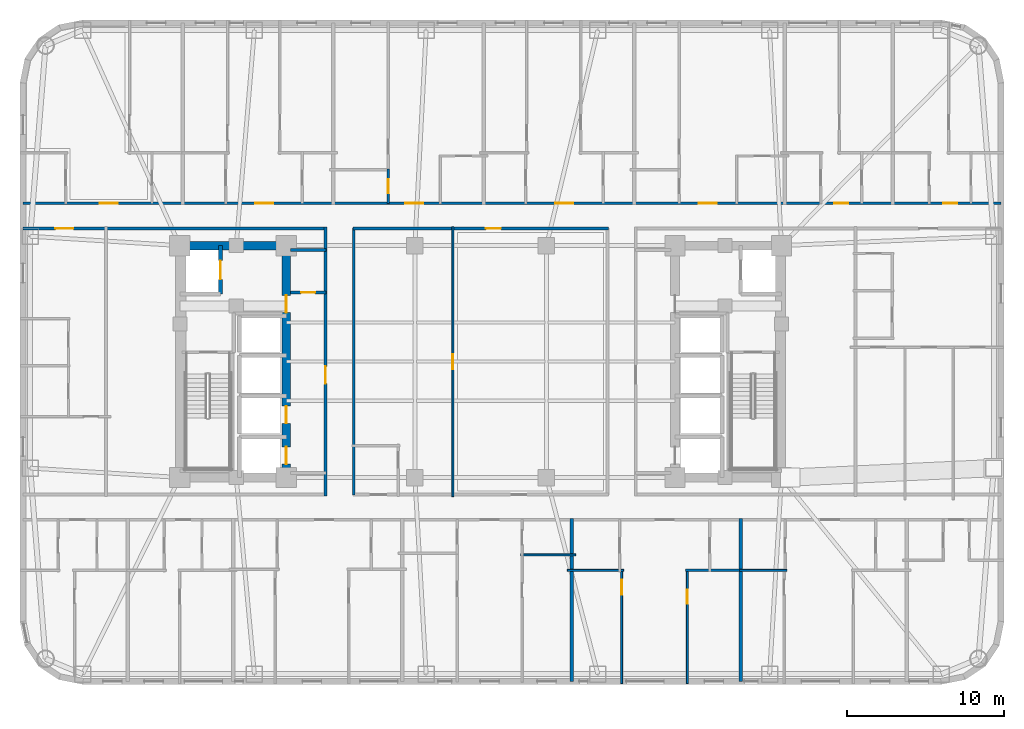
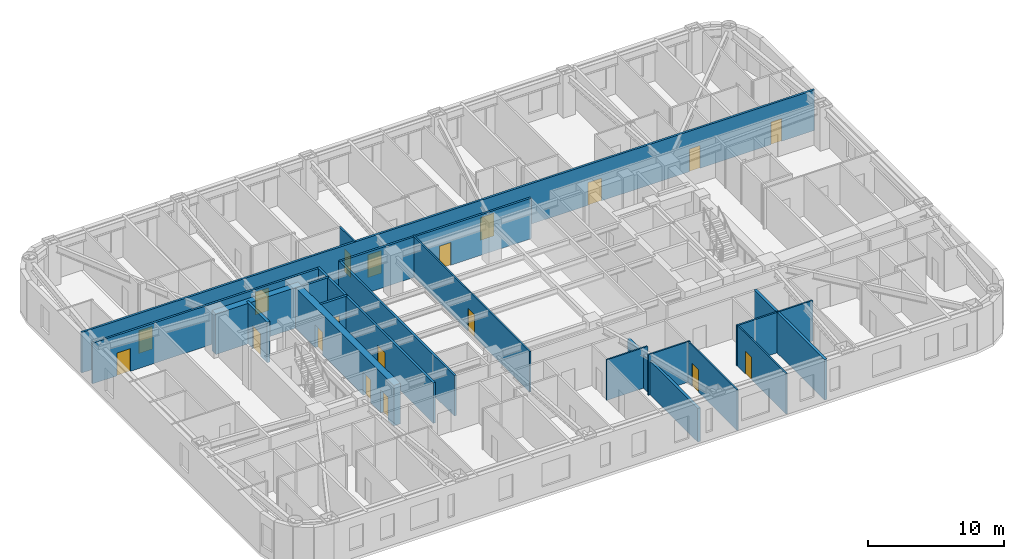
# One storey, part 5 of 12: 20 walls, 19 doors, 19 openings.
"""IFC4 building model written with IfcOpenShell, lengths in metres."""

from ifc_helpers import new_model, si_unit, direction, frame, frame_2d, origin, place, context, subcontext, project, spatial, rectangle, extrude, material, layer, layer_set, type_object, element, fill, save


model = new_model("IFC4")

# Units and contexts
model_context = context("Model", 3, precision=1e-05, world=origin(), true_north=direction((0.0, 1.0)))
body_context = subcontext(model_context, "Body", "Model", "MODEL_VIEW")
ifc_project = project(units=[si_unit("LENGTHUNIT", "METRE"), si_unit("AREAUNIT", "SQUARE_METRE"), si_unit("VOLUMEUNIT", "CUBIC_METRE"), si_unit("PLANEANGLEUNIT", "RADIAN"), si_unit("MASSUNIT", "GRAM", prefix="KILO")], contexts=[model_context])

# Site, building, storey
site_placement = place(None, origin())
site = spatial("IfcSite", under=ifc_project, at=site_placement, CompositionType="ELEMENT")
building_placement = place(site_placement, origin())
building = spatial("IfcBuilding", under=site, at=building_placement, Name="Voryun Gate Residences", CompositionType="ELEMENT")
storey_placement = place(building_placement, frame((0.0, 0.0, 101.39990234375)))
storey = spatial("IfcBuildingStorey", under=building, at=storey_placement, Name="L24", CompositionType="ELEMENT", Elevation=101.39990234375)

# Wall
ifc_material_1 = material(Name="Concrete C60/75", Category="concrete")
ifc_layer_1 = layer(ifc_material_1, 0.550048828125, Name="CW_CORE_550")
ifc_layer_set_1 = layer_set([ifc_layer_1], Name="Concrete C60/75")
wall_type_1 = type_object("IfcWallType", Name="CW_CORE_550", PredefinedType="SHEAR", material=ifc_layer_set_1)
wall_1_placement = place(storey_placement, frame((-19.47509765625, 7.39990234375, 0.0), z_axis=(0.0, 0.0, 1.0), x_axis=(1.0, 0.0, 0.0)))
element("IfcWall", 1, at=wall_1_placement, inside=storey, type_object=wall_type_1, Name="L24 Core shear wall CW-L24-WN", PredefinedType="SHEAR", context=body_context, shape_type="SweptSolid", body=[
    extrude(rectangle(XDim=7.35009765625, YDim=0.550048828125, at=frame_2d((3.675048828125, 0.0))), origin(), (0.0, 0.0, 1.0), 3.650146484375),
])

# Wall, openings, doors
wall_2_placement = place(storey_placement, frame((-12.39990234375, -7.39990234375, 0.0), z_axis=(0.0, 0.0, 1.0), x_axis=(0.0, 1.0, 0.0)))
wall_2 = element("IfcWall", 2, at=wall_2_placement, inside=storey, type_object=wall_type_1, Name="L24 Core shear wall CW-L24-WE", PredefinedType="SHEAR", context=body_context, shape_type="SweptSolid", body=[
    extrude(rectangle(XDim=14.7998046875, YDim=0.550048828125, at=frame_2d((7.39990234375, 0.0))), origin(), (0.0, 0.0, 1.0), 3.650146484375),
])
opening_1_placement = place(wall_2_placement, frame((0.85009765625, 0.0, 0.0)))
opening_1 = element("IfcOpeningElement", 3, at=opening_1_placement, cuts=wall_2, Name="Opening LD2", PredefinedType="OPENING", context=body_context, shape_type="SweptSolid", body=[
    extrude(rectangle(XDim=1.10009765625, YDim=2.050048828125, at=frame_2d((0.550048828125, 1.02490234375))), frame((0.0, 0.284912109375, 0.0), z_axis=(0.0, -1.0, 0.0), x_axis=(1.0, 0.0, 0.0)), (0.0, 0.0, 1.0), 0.570068359375),
])
opening_2_placement = place(wall_2_placement, frame((3.449951171875, 0.0, 0.0)))
opening_2 = element("IfcOpeningElement", 4, at=opening_2_placement, cuts=wall_2, Name="Opening LD2", PredefinedType="OPENING", context=body_context, shape_type="SweptSolid", body=[
    extrude(rectangle(XDim=1.10009765625, YDim=2.050048828125, at=frame_2d((0.550048828125, 1.02490234375))), frame((0.0, 0.284912109375, 0.0), z_axis=(0.0, -1.0, 0.0), x_axis=(1.0, 0.0, 0.0)), (0.0, 0.0, 1.0), 0.570068359375),
])
opening_3_placement = place(wall_2_placement, frame((10.530029296875, 0.0, 0.0)))
opening_3 = element("IfcOpeningElement", 5, at=opening_3_placement, cuts=wall_2, Name="Opening D-FD60-2", PredefinedType="OPENING", context=body_context, shape_type="SweptSolid", body=[
    extrude(rectangle(XDim=1.10009765625, YDim=2.050048828125, at=frame_2d((0.550048828125, 1.02490234375))), frame((0.0, 0.284912109375, 0.0), z_axis=(0.0, -1.0, 0.0), x_axis=(1.0, 0.0, 0.0)), (0.0, 0.0, 1.0), 0.570068359375),
])
ifc_material_2 = material(Name="Painted steel fire door", Category="steel")
door_type_1 = type_object("IfcDoorType", Name="DR_FD60_FFLOB_1100", OperationType="NOTDEFINED", PredefinedType="DOOR", material=ifc_material_2)
door_1_placement = place(opening_3_placement, origin())
door_1 = element("IfcDoor", 6, at=door_1_placement, inside=storey, type_object=door_type_1, Name="Door DR-L24-CLOB-W", OperationType="SINGLE_SWING_LEFT", OverallHeight=2.050048828125, OverallWidth=1.10009765625, PredefinedType="DOOR", context=body_context, shape_type="SweptSolid", body=[
    extrude(rectangle(XDim=1.10009765625, YDim=2.050048828125, at=frame_2d((0.550048828125, 1.02490234375))), frame((0.0, 0.02490234375, 0.0), z_axis=(0.0, -1.0, 0.0), x_axis=(1.0, 0.0, 0.0)), (0.0, 0.0, 1.0), 0.050048828125),
])
fill(opening_3, door_1)
ifc_material_3 = material(Name="Anodised aluminium", Category="aluminium")
door_type_2 = type_object("IfcDoorType", Name="DR_LD_PASS_1100", OperationType="NOTDEFINED", PredefinedType="DOOR", material=ifc_material_3)
door_2_placement = place(opening_1_placement, origin())
door_2 = element("IfcDoor", 7, at=door_2_placement, inside=storey, type_object=door_type_2, Name="Lift EL-P1 sliding landing door L24", OperationType="SLIDING_TO_LEFT", OverallHeight=2.050048828125, OverallWidth=1.10009765625, PredefinedType="DOOR", context=body_context, shape_type="SweptSolid", body=[
    extrude(rectangle(XDim=1.10009765625, YDim=2.050048828125, at=frame_2d((0.550048828125, 1.02490234375))), frame((0.0, 0.02490234375, 0.0), z_axis=(0.0, -1.0, 0.0), x_axis=(1.0, 0.0, 0.0)), (0.0, 0.0, 1.0), 0.050048828125),
])
fill(opening_1, door_2)
door_3_placement = place(opening_2_placement, origin())
door_3 = element("IfcDoor", 8, at=door_3_placement, inside=storey, type_object=door_type_2, Name="Lift EL-P2 sliding landing door L24", OperationType="SLIDING_TO_LEFT", OverallHeight=2.050048828125, OverallWidth=1.10009765625, PredefinedType="DOOR", context=body_context, shape_type="SweptSolid", body=[
    extrude(rectangle(XDim=1.10009765625, YDim=2.050048828125, at=frame_2d((0.550048828125, 1.02490234375))), frame((0.0, 0.02490234375, 0.0), z_axis=(0.0, -1.0, 0.0), x_axis=(1.0, 0.0, 0.0)), (0.0, 0.0, 1.0), 0.050048828125),
])
fill(opening_2, door_3)

# Wall
ifc_material_4 = material(Name="Gypsum acoustic fireboard")
ifc_layer_2 = layer(ifc_material_4, 0.179931640625, Name="W_CORR_RATED_180")
ifc_layer_set_2 = layer_set([ifc_layer_2], Name="Gypsum acoustic fireboard")
wall_type_2 = type_object("IfcWallType", Name="W_CORR_RATED_180", PredefinedType="PARTITIONING", material=ifc_layer_set_2)
wall_3_placement = place(storey_placement, frame((-12.14990234375, 7.1201171875, 0.0), z_axis=(0.0, 0.0, 1.0), x_axis=(1.0, 0.0, 0.0)))
element("IfcWall", 9, at=wall_3_placement, inside=storey, type_object=wall_type_2, Name="Partition wall WP-L24-PLBN-W", PredefinedType="PARTITIONING", context=body_context, shape_type="SweptSolid", body=[
    extrude(rectangle(XDim=2.27001953125, YDim=0.179931640625, at=frame_2d((1.135009765625, 0.0))), origin(), (0.0, 0.0, 1.0), 3.650146484375),
])

# Wall, opening, door
wall_4_placement = place(storey_placement, frame((-9.89990234375, -8.580078125, 0.0), z_axis=(0.0, 0.0, 1.0), x_axis=(0.0, 1.0, 0.0)))
wall_4 = element("IfcWall", 10, at=wall_4_placement, inside=storey, type_object=wall_type_2, Name="Partition wall WP-L24-PLBW-FULL", PredefinedType="PARTITIONING", context=body_context, shape_type="SweptSolid", body=[
    extrude(rectangle(XDim=17.16015625, YDim=0.179931640625, at=frame_2d((8.580078125, 0.0))), origin(), (0.0, 0.0, 1.0), 3.650146484375),
])
opening_4_placement = place(wall_4_placement, frame((7.172119140625, 0.0, 0.0)))
opening_4 = element("IfcOpeningElement", 11, at=opening_4_placement, cuts=wall_4, Name="Opening D-FD60-2", PredefinedType="OPENING", context=body_context, shape_type="SweptSolid", body=[
    extrude(rectangle(XDim=1.10009765625, YDim=2.050048828125, at=frame_2d((0.550048828125, 1.02490234375))), frame((0.0, 0.099853515625, 0.0), z_axis=(0.0, -1.0, 0.0), x_axis=(1.0, 0.0, 0.0)), (0.0, 0.0, 1.0), 0.199951171875),
])
door_4_placement = place(opening_4_placement, origin())
door_4 = element("IfcDoor", 12, at=door_4_placement, inside=storey, type_object=door_type_1, Name="Door DR-L24-PLBW-COR", OperationType="SINGLE_SWING_LEFT", OverallHeight=2.050048828125, OverallWidth=1.10009765625, PredefinedType="DOOR", context=body_context, shape_type="SweptSolid", body=[
    extrude(rectangle(XDim=1.10009765625, YDim=2.050048828125, at=frame_2d((0.550048828125, 1.02490234375))), frame((0.0, 0.02490234375, 0.0), z_axis=(0.0, -1.0, 0.0), x_axis=(1.0, 0.0, 0.0)), (0.0, 0.0, 1.0), 0.050048828125),
])
fill(opening_4, door_4)

wall_5_placement = place(storey_placement, frame((-29.2099609375, 8.489990234375, 0.0), z_axis=(0.0, 0.0, 1.0), x_axis=(1.0, 0.0, 0.0)))
wall_5 = element("IfcWall", 13, at=wall_5_placement, inside=storey, type_object=wall_type_2, Name="Partition wall WP-L24-CWING-WN", PredefinedType="PARTITIONING", context=body_context, shape_type="SweptSolid", body=[
    extrude(rectangle(XDim=19.330078125, YDim=0.179931640625, at=frame_2d((9.6650390625, 0.0))), origin(), (0.0, 0.0, 1.0), 3.650146484375),
])
opening_5_placement = place(wall_5_placement, frame((2.0654296875, 0.0, 0.0)))
opening_5 = element("IfcOpeningElement", 14, at=opening_5_placement, cuts=wall_5, Name="Opening D-UNIT-1", PredefinedType="OPENING", context=body_context, shape_type="SweptSolid", body=[
    extrude(rectangle(XDim=1.14990234375, YDim=2.050048828125, at=frame_2d((0.574951171875, 1.02490234375))), frame((0.0, 0.099853515625, 0.0), z_axis=(0.0, -1.0, 0.0), x_axis=(1.0, 0.0, 0.0)), (0.0, 0.0, 1.0), 0.199951171875),
])
ifc_material_5 = material(Name="Armoured timber-clad fire door", Category="wood")
door_type_3 = type_object("IfcDoorType", Name="DR_UNIT_ENTRY_1150", OperationType="NOTDEFINED", PredefinedType="DOOR", material=ifc_material_5)
door_5_placement = place(opening_5_placement, origin())
door_5 = element("IfcDoor", 15, at=door_5_placement, inside=storey, type_object=door_type_3, Name="Door DR-L24-WE1N", OperationType="SINGLE_SWING_LEFT", OverallHeight=2.050048828125, OverallWidth=1.14990234375, PredefinedType="DOOR", context=body_context, shape_type="SweptSolid", body=[
    extrude(rectangle(XDim=1.14990234375, YDim=2.050048828125, at=frame_2d((0.574951171875, 1.02490234375))), frame((0.0, 0.02490234375, 0.0), z_axis=(0.0, -1.0, 0.0), x_axis=(1.0, 0.0, 0.0)), (0.0, 0.0, 1.0), 0.050048828125),
])
fill(opening_5, door_5)

wall_6_placement = place(storey_placement, frame((-8.14990234375, 8.489990234375, 0.0), z_axis=(0.0, 0.0, 1.0), x_axis=(1.0, 0.0, 0.0)))
wall_6 = element("IfcWall", 16, at=wall_6_placement, inside=storey, type_object=wall_type_2, Name="Partition wall WP-L24-Z1N", PredefinedType="PARTITIONING", context=body_context, shape_type="SweptSolid", body=[
    extrude(rectangle(XDim=16.2998046875, YDim=0.179931640625, at=frame_2d((8.14990234375, 0.0))), origin(), (0.0, 0.0, 1.0), 3.650146484375),
])
opening_6_placement = place(wall_6_placement, frame((8.489990234375, 0.0, 0.0)))
opening_6 = element("IfcOpeningElement", 17, at=opening_6_placement, cuts=wall_6, Name="Opening D-INT-1", PredefinedType="OPENING", context=body_context, shape_type="SweptSolid", body=[
    extrude(rectangle(XDim=0.949951171875, YDim=2.050048828125, at=frame_2d((0.47509765625, 1.02490234375))), frame((0.0, 0.099853515625, 0.0), z_axis=(0.0, -1.0, 0.0), x_axis=(1.0, 0.0, 0.0)), (0.0, 0.0, 1.0), 0.199951171875),
])
ifc_material_6 = material(Name="Architectural oak veneer")
door_type_4 = type_object("IfcDoorType", Name="DR_INT_ROOM_950", OperationType="NOTDEFINED", PredefinedType="DOOR", material=ifc_material_6)
door_6_placement = place(opening_6_placement, origin())
door_6 = element("IfcDoor", 18, at=door_6_placement, inside=storey, type_object=door_type_4, Name="Door DR-L24-CMIDZ1N", OperationType="SINGLE_SWING_LEFT", OverallHeight=2.050048828125, OverallWidth=0.949951171875, PredefinedType="DOOR", context=body_context, shape_type="SweptSolid", body=[
    extrude(rectangle(XDim=0.949951171875, YDim=2.050048828125, at=frame_2d((0.47509765625, 1.02490234375))), frame((0.0, 0.02490234375, 0.0), z_axis=(0.0, -1.0, 0.0), x_axis=(1.0, 0.0, 0.0)), (0.0, 0.0, 1.0), 0.050048828125),
])
fill(opening_6, door_6)

# Wall
wall_7_placement = place(storey_placement, frame((-8.10009765625, -8.530029296875, 0.0), z_axis=(0.0, 0.0, 1.0), x_axis=(0.0, 1.0, 0.0)))
element("IfcWall", 19, at=wall_7_placement, inside=storey, type_object=wall_type_2, Name="Partition wall WP-L24-Z1W", PredefinedType="PARTITIONING", context=body_context, shape_type="SweptSolid", body=[
    extrude(rectangle(XDim=17.06005859375, YDim=0.179931640625, at=frame_2d((8.530029296875, 0.0))), origin(), (0.0, 0.0, 1.0), 3.650146484375),
])

# Wall, openings, doors
wall_8_placement = place(storey_placement, frame((-29.2099609375, 10.10009765625, 0.0), z_axis=(0.0, 0.0, 1.0), x_axis=(1.0, 0.0, 0.0)))
wall_8 = element("IfcWall", 20, at=wall_8_placement, inside=storey, type_object=wall_type_2, Name="Partition wall WP-L24-NCORR", PredefinedType="PARTITIONING", context=body_context, shape_type="SweptSolid", body=[
    extrude(rectangle(XDim=62.419921875, YDim=0.179931640625, at=frame_2d((31.2099609375, 0.0))), origin(), (0.0, 0.0, 1.0), 3.650146484375),
])
opening_7_placement = place(wall_8_placement, frame((4.905517578125, 0.0, 0.0)))
opening_7 = element("IfcOpeningElement", 21, at=opening_7_placement, cuts=wall_8, Name="Opening D-UNIT-1", PredefinedType="OPENING", context=body_context, shape_type="SweptSolid", body=[
    extrude(rectangle(XDim=1.14990234375, YDim=2.050048828125, at=frame_2d((0.574951171875, 1.02490234375))), frame((0.0, 0.099853515625, 0.0), z_axis=(0.0, -1.0, 0.0), x_axis=(1.0, 0.0, 0.0)), (0.0, 0.0, 1.0), 0.199951171875),
])
opening_8_placement = place(wall_8_placement, frame((14.8115234375, 0.0, 0.0)))
opening_8 = element("IfcOpeningElement", 22, at=opening_8_placement, cuts=wall_8, Name="Opening D-UNIT-1", PredefinedType="OPENING", context=body_context, shape_type="SweptSolid", body=[
    extrude(rectangle(XDim=1.14990234375, YDim=2.050048828125, at=frame_2d((0.574951171875, 1.02490234375))), frame((0.0, 0.099853515625, 0.0), z_axis=(0.0, -1.0, 0.0), x_axis=(1.0, 0.0, 0.0)), (0.0, 0.0, 1.0), 0.199951171875),
])
opening_9_placement = place(wall_8_placement, frame((24.405517578125, 0.0, 0.0)))
opening_9 = element("IfcOpeningElement", 23, at=opening_9_placement, cuts=wall_8, Name="Opening D-UNIT-1", PredefinedType="OPENING", context=body_context, shape_type="SweptSolid", body=[
    extrude(rectangle(XDim=1.14990234375, YDim=2.050048828125, at=frame_2d((0.574951171875, 1.02490234375))), frame((0.0, 0.099853515625, 0.0), z_axis=(0.0, -1.0, 0.0), x_axis=(1.0, 0.0, 0.0)), (0.0, 0.0, 1.0), 0.199951171875),
])
opening_10_placement = place(wall_8_placement, frame((33.980712890625, 0.0, 0.0)))
opening_10 = element("IfcOpeningElement", 24, at=opening_10_placement, cuts=wall_8, Name="Opening D-UNIT-1", PredefinedType="OPENING", context=body_context, shape_type="SweptSolid", body=[
    extrude(rectangle(XDim=1.14990234375, YDim=2.050048828125, at=frame_2d((0.574951171875, 1.02490234375))), frame((0.0, 0.099853515625, 0.0), z_axis=(0.0, -1.0, 0.0), x_axis=(1.0, 0.0, 0.0)), (0.0, 0.0, 1.0), 0.199951171875),
])
opening_11_placement = place(wall_8_placement, frame((43.1376953125, 0.0, 0.0)))
opening_11 = element("IfcOpeningElement", 25, at=opening_11_placement, cuts=wall_8, Name="Opening D-UNIT-1", PredefinedType="OPENING", context=body_context, shape_type="SweptSolid", body=[
    extrude(rectangle(XDim=1.14990234375, YDim=2.050048828125, at=frame_2d((0.574951171875, 1.02490234375))), frame((0.0, 0.099853515625, 0.0), z_axis=(0.0, -1.0, 0.0), x_axis=(1.0, 0.0, 0.0)), (0.0, 0.0, 1.0), 0.199951171875),
])
opening_12_placement = place(wall_8_placement, frame((51.77685546875, 0.0, 0.0)))
opening_12 = element("IfcOpeningElement", 26, at=opening_12_placement, cuts=wall_8, Name="Opening D-INT-2", PredefinedType="OPENING", context=body_context, shape_type="SweptSolid", body=[
    extrude(rectangle(XDim=0.89990234375, YDim=2.050048828125, at=frame_2d((0.449951171875, 1.02490234375))), frame((0.0, 0.099853515625, 0.0), z_axis=(0.0, -1.0, 0.0), x_axis=(1.0, 0.0, 0.0)), (0.0, 0.0, 1.0), 0.199951171875),
])
opening_13_placement = place(wall_8_placement, frame((58.718017578125, 0.0, 0.0)))
opening_13 = element("IfcOpeningElement", 27, at=opening_13_placement, cuts=wall_8, Name="Opening D-INT-2", PredefinedType="OPENING", context=body_context, shape_type="SweptSolid", body=[
    extrude(rectangle(XDim=0.89990234375, YDim=2.050048828125, at=frame_2d((0.449951171875, 1.02490234375))), frame((0.0, 0.099853515625, 0.0), z_axis=(0.0, -1.0, 0.0), x_axis=(1.0, 0.0, 0.0)), (0.0, 0.0, 1.0), 0.199951171875),
])
ifc_material_7 = material(Name="Architectural oak veneer")
door_type_5 = type_object("IfcDoorType", Name="DR_INT_BATH_900", OperationType="NOTDEFINED", PredefinedType="DOOR", material=ifc_material_7)
door_7_placement = place(opening_12_placement, origin())
door_7 = element("IfcDoor", 28, at=door_7_placement, inside=storey, type_object=door_type_5, Name="Door DR-L24-NENT-6", OperationType="SINGLE_SWING_RIGHT", OverallHeight=2.050048828125, OverallWidth=0.89990234375, PredefinedType="DOOR", context=body_context, shape_type="SweptSolid", body=[
    extrude(rectangle(XDim=0.89990234375, YDim=2.050048828125, at=frame_2d((0.449951171875, 1.02490234375))), frame((0.0, 0.02490234375, 0.0), z_axis=(0.0, -1.0, 0.0), x_axis=(1.0, 0.0, 0.0)), (0.0, 0.0, 1.0), 0.050048828125),
])
fill(opening_12, door_7)
door_8_placement = place(opening_13_placement, origin())
door_8 = element("IfcDoor", 29, at=door_8_placement, inside=storey, type_object=door_type_5, Name="Door DR-L24-NENT-7", OperationType="SINGLE_SWING_LEFT", OverallHeight=2.050048828125, OverallWidth=0.89990234375, PredefinedType="DOOR", context=body_context, shape_type="SweptSolid", body=[
    extrude(rectangle(XDim=0.89990234375, YDim=2.050048828125, at=frame_2d((0.449951171875, 1.02490234375))), frame((0.0, 0.02490234375, 0.0), z_axis=(0.0, -1.0, 0.0), x_axis=(1.0, 0.0, 0.0)), (0.0, 0.0, 1.0), 0.050048828125),
])
fill(opening_13, door_8)
door_9_placement = place(opening_7_placement, origin())
door_9 = element("IfcDoor", 30, at=door_9_placement, inside=storey, type_object=door_type_3, Name="Door DR-L24-NENT-1", OperationType="SINGLE_SWING_LEFT", OverallHeight=2.050048828125, OverallWidth=1.14990234375, PredefinedType="DOOR", context=body_context, shape_type="SweptSolid", body=[
    extrude(rectangle(XDim=1.14990234375, YDim=2.050048828125, at=frame_2d((0.574951171875, 1.02490234375))), frame((0.0, 0.02490234375, 0.0), z_axis=(0.0, -1.0, 0.0), x_axis=(1.0, 0.0, 0.0)), (0.0, 0.0, 1.0), 0.050048828125),
])
fill(opening_7, door_9)
door_10_placement = place(opening_8_placement, origin())
door_10 = element("IfcDoor", 31, at=door_10_placement, inside=storey, type_object=door_type_3, Name="Door DR-L24-NENT-2", OperationType="SINGLE_SWING_RIGHT", OverallHeight=2.050048828125, OverallWidth=1.14990234375, PredefinedType="DOOR", context=body_context, shape_type="SweptSolid", body=[
    extrude(rectangle(XDim=1.14990234375, YDim=2.050048828125, at=frame_2d((0.574951171875, 1.02490234375))), frame((0.0, 0.02490234375, 0.0), z_axis=(0.0, -1.0, 0.0), x_axis=(1.0, 0.0, 0.0)), (0.0, 0.0, 1.0), 0.050048828125),
])
fill(opening_8, door_10)
door_11_placement = place(opening_9_placement, origin())
door_11 = element("IfcDoor", 32, at=door_11_placement, inside=storey, type_object=door_type_3, Name="Door DR-L24-NENT-3", OperationType="SINGLE_SWING_LEFT", OverallHeight=2.050048828125, OverallWidth=1.14990234375, PredefinedType="DOOR", context=body_context, shape_type="SweptSolid", body=[
    extrude(rectangle(XDim=1.14990234375, YDim=2.050048828125, at=frame_2d((0.574951171875, 1.02490234375))), frame((0.0, 0.02490234375, 0.0), z_axis=(0.0, -1.0, 0.0), x_axis=(1.0, 0.0, 0.0)), (0.0, 0.0, 1.0), 0.050048828125),
])
fill(opening_9, door_11)
door_12_placement = place(opening_10_placement, origin())
door_12 = element("IfcDoor", 33, at=door_12_placement, inside=storey, type_object=door_type_3, Name="Door DR-L24-NENT-4", OperationType="SINGLE_SWING_RIGHT", OverallHeight=2.050048828125, OverallWidth=1.14990234375, PredefinedType="DOOR", context=body_context, shape_type="SweptSolid", body=[
    extrude(rectangle(XDim=1.14990234375, YDim=2.050048828125, at=frame_2d((0.574951171875, 1.02490234375))), frame((0.0, 0.02490234375, 0.0), z_axis=(0.0, -1.0, 0.0), x_axis=(1.0, 0.0, 0.0)), (0.0, 0.0, 1.0), 0.050048828125),
])
fill(opening_10, door_12)
door_13_placement = place(opening_11_placement, origin())
door_13 = element("IfcDoor", 34, at=door_13_placement, inside=storey, type_object=door_type_3, Name="Door DR-L24-NENT-5", OperationType="SINGLE_SWING_LEFT", OverallHeight=2.050048828125, OverallWidth=1.14990234375, PredefinedType="DOOR", context=body_context, shape_type="SweptSolid", body=[
    extrude(rectangle(XDim=1.14990234375, YDim=2.050048828125, at=frame_2d((0.574951171875, 1.02490234375))), frame((0.0, 0.02490234375, 0.0), z_axis=(0.0, -1.0, 0.0), x_axis=(1.0, 0.0, 0.0)), (0.0, 0.0, 1.0), 0.050048828125),
])
fill(opening_11, door_13)

# Wall, opening, door
ifc_material_8 = material(Name="Concrete C40/50", Category="concrete")
ifc_layer_3 = layer(ifc_material_8, 0.199951171875, Name="W_FF_LOBBY_200")
ifc_layer_set_3 = layer_set([ifc_layer_3], Name="Concrete C40/50")
wall_type_3 = type_object("IfcWallType", Name="W_FF_LOBBY_200", PredefinedType="PARTITIONING", material=ifc_layer_set_3)
wall_9_placement = place(storey_placement, frame((-12.14990234375, 4.409912109375, 0.0), z_axis=(0.0, 0.0, 1.0), x_axis=(1.0, 0.0, 0.0)))
wall_9 = element("IfcWall", 35, at=wall_9_placement, inside=storey, type_object=wall_type_3, Name="Partition wall WP-L24-CSFLKS-W", PredefinedType="PARTITIONING", context=body_context, shape_type="SweptSolid", body=[
    extrude(rectangle(XDim=2.27001953125, YDim=0.199951171875, at=frame_2d((1.135009765625, 0.0))), origin(), (0.0, 0.0, 1.0), 3.650146484375),
])
opening_14_placement = place(wall_9_placement, frame((0.68505859375, 0.0, 0.0)))
opening_14 = element("IfcOpeningElement", 36, at=opening_14_placement, cuts=wall_9, Name="Opening D-FD60-4", PredefinedType="OPENING", context=body_context, shape_type="SweptSolid", body=[
    extrude(rectangle(XDim=0.89990234375, YDim=2.050048828125, at=frame_2d((0.449951171875, 1.02490234375))), frame((0.0, 0.110107421875, 0.0), z_axis=(0.0, -1.0, 0.0), x_axis=(1.0, 0.0, 0.0)), (0.0, 0.0, 1.0), 0.219970703125),
])
ifc_material_9 = material(Name="Painted steel fire door", Category="steel")
door_type_6 = type_object("IfcDoorType", Name="DR_FD60_RISER_900", OperationType="NOTDEFINED", PredefinedType="DOOR", material=ifc_material_9)
door_14_placement = place(opening_14_placement, origin())
door_14 = element("IfcDoor", 37, at=door_14_placement, inside=storey, type_object=door_type_6, Name="Door DR-L24-CSFLK-W", OperationType="SINGLE_SWING_LEFT", OverallHeight=2.050048828125, OverallWidth=0.89990234375, PredefinedType="DOOR", context=body_context, shape_type="SweptSolid", body=[
    extrude(rectangle(XDim=0.89990234375, YDim=2.050048828125, at=frame_2d((0.449951171875, 1.02490234375))), frame((0.0, 0.02490234375, 0.0), z_axis=(0.0, -1.0, 0.0), x_axis=(1.0, 0.0, 0.0)), (0.0, 0.0, 1.0), 0.050048828125),
])
fill(opening_14, door_14)

# Walls
ifc_material_10 = material(Name="Concrete C40/50", Category="concrete")
ifc_layer_4 = layer(ifc_material_10, 0.219970703125, Name="W_PARTY_ACOUSTIC_220")
ifc_layer_set_4 = layer_set([ifc_layer_4], Name="Concrete C40/50")
wall_type_4 = type_object("IfcWallType", Name="W_PARTY_ACOUSTIC_220", PredefinedType="PARTITIONING", material=ifc_layer_set_4)
wall_10_placement = place(storey_placement, frame((5.800048828125, -20.409912109375, 0.0), z_axis=(0.0, 0.0, 1.0), x_axis=(0.0, 1.0, 0.0)))
element("IfcWall", 38, at=wall_10_placement, inside=storey, type_object=wall_type_4, Name="Partition wall WP-L24-SPTY-4", PredefinedType="PARTITIONING", context=body_context, shape_type="SweptSolid", body=[
    extrude(rectangle(XDim=10.389892578125, YDim=0.219970703125, at=frame_2d((5.19482421875, 0.0))), origin(), (0.0, 0.0, 1.0), 3.0400390625),
])
wall_11_placement = place(storey_placement, frame((16.60009765625, -20.409912109375, 0.0), z_axis=(0.0, 0.0, 1.0), x_axis=(0.0, 1.0, 0.0)))
element("IfcWall", 39, at=wall_11_placement, inside=storey, type_object=wall_type_4, Name="Partition wall WP-L24-SPTY-5", PredefinedType="PARTITIONING", context=body_context, shape_type="SweptSolid", body=[
    extrude(rectangle(XDim=10.389892578125, YDim=0.219970703125, at=frame_2d((5.19482421875, 0.0))), origin(), (0.0, 0.0, 1.0), 3.650146484375),
])

# Wall, opening, door
ifc_material_11 = material(Name="Concrete C50/60", Category="concrete")
ifc_layer_5 = layer(ifc_material_11, 0.25, Name="W_SHAFT_RC250")
ifc_layer_set_5 = layer_set([ifc_layer_5], Name="Concrete C50/60")
wall_type_5 = type_object("IfcWallType", Name="W_SHAFT_RC250", PredefinedType="SOLIDWALL", material=ifc_layer_set_5)
wall_12_placement = place(storey_placement, frame((-16.60009765625, 4.300048828125, 0.0), z_axis=(0.0, 0.0, 1.0), x_axis=(0.0, 1.0, 0.0)))
wall_12 = element("IfcWall", 40, at=wall_12_placement, inside=storey, type_object=wall_type_5, Name="Lift shaft wall WSH-L24-EL-FF-W1-E", PredefinedType="SOLIDWALL", context=body_context, shape_type="SweptSolid", body=[
    extrude(rectangle(XDim=3.099853515625, YDim=0.25, at=frame_2d((1.5498046875, 0.0))), origin(), (0.0, 0.0, 1.0), 3.650146484375),
])
opening_15_placement = place(wall_12_placement, frame((0.949951171875, 0.0, 0.0)))
opening_15 = element("IfcOpeningElement", 41, at=opening_15_placement, cuts=wall_12, Name="Opening LD1", PredefinedType="OPENING", context=body_context, shape_type="SweptSolid", body=[
    extrude(rectangle(XDim=1.199951171875, YDim=2.050048828125, at=frame_2d((0.60009765625, 1.02490234375))), frame((0.0, 0.135009765625, 0.0), z_axis=(0.0, -1.0, 0.0), x_axis=(1.0, 0.0, 0.0)), (0.0, 0.0, 1.0), 0.27001953125),
])
ifc_material_12 = material(Name="Anodised aluminium", Category="aluminium")
door_type_7 = type_object("IfcDoorType", Name="DR_LD_FF_1200", OperationType="NOTDEFINED", PredefinedType="DOOR", material=ifc_material_12)
door_15_placement = place(opening_15_placement, origin())
door_15 = element("IfcDoor", 42, at=door_15_placement, inside=storey, type_object=door_type_7, Name="Lift EL-FF-W1 sliding landing door L24", OperationType="SLIDING_TO_LEFT", OverallHeight=2.050048828125, OverallWidth=1.199951171875, PredefinedType="DOOR", context=body_context, shape_type="SweptSolid", body=[
    extrude(rectangle(XDim=1.199951171875, YDim=2.050048828125, at=frame_2d((0.60009765625, 1.02490234375))), frame((0.0, 0.02490234375, 0.0), z_axis=(0.0, -1.0, 0.0), x_axis=(1.0, 0.0, 0.0)), (0.0, 0.0, 1.0), 0.050048828125),
])
fill(opening_15, door_15)

ifc_material_13 = material(Name="Gypsum acoustic partition")
ifc_layer_6 = layer(ifc_material_13, 0.125, Name="W_UNIT_PART_125")
ifc_layer_set_6 = layer_set([ifc_layer_6], Name="Gypsum acoustic partition")
wall_type_6 = type_object("IfcWallType", Name="W_UNIT_PART_125", PredefinedType="PARTITIONING", material=ifc_layer_set_6)
wall_13_placement = place(storey_placement, frame((-1.77294921875, -8.6201171875, 0.0), z_axis=(0.0, 0.0, 1.0), x_axis=(0.0, 1.0, 0.0)))
wall_13 = element("IfcWall", 43, at=wall_13_placement, inside=storey, type_object=wall_type_6, Name="Partition wall WP-L24-MIDX-0", PredefinedType="PARTITIONING", context=body_context, shape_type="SweptSolid", body=[
    extrude(rectangle(XDim=17.240234375, YDim=0.125, at=frame_2d((8.6201171875, 0.0))), origin(), (0.0, 0.0, 1.0), 3.650146484375),
])
opening_16_placement = place(wall_13_placement, frame((8.14501953125, 0.0, 0.0)))
opening_16 = element("IfcOpeningElement", 44, at=opening_16_placement, cuts=wall_13, Name="Opening D-INT-1", PredefinedType="OPENING", context=body_context, shape_type="SweptSolid", body=[
    extrude(rectangle(XDim=0.949951171875, YDim=2.050048828125, at=frame_2d((0.47509765625, 1.02490234375))), frame((0.0, 0.072509765625, 0.0), z_axis=(0.0, -1.0, 0.0), x_axis=(1.0, 0.0, 0.0)), (0.0, 0.0, 1.0), 0.14501953125),
])
door_16_placement = place(opening_16_placement, origin())
door_16 = element("IfcDoor", 45, at=door_16_placement, inside=storey, type_object=door_type_4, Name="Door DR-L24-MIDX-0", OperationType="SINGLE_SWING_LEFT", OverallHeight=2.050048828125, OverallWidth=0.949951171875, PredefinedType="DOOR", context=body_context, shape_type="SweptSolid", body=[
    extrude(rectangle(XDim=0.949951171875, YDim=2.050048828125, at=frame_2d((0.47509765625, 1.02490234375))), frame((0.0, 0.02490234375, 0.0), z_axis=(0.0, -1.0, 0.0), x_axis=(1.0, 0.0, 0.0)), (0.0, 0.0, 1.0), 0.050048828125),
])
fill(opening_16, door_16)

# Wall
wall_14_placement = place(storey_placement, frame((2.56005859375, -12.340087890625, 0.0), z_axis=(0.0, 0.0, 1.0), x_axis=(1.0, 0.0, 0.0)))
element("IfcWall", 46, at=wall_14_placement, inside=storey, type_object=wall_type_6, Name="Partition wall WP-L24-S4-RHY", PredefinedType="PARTITIONING", context=body_context, shape_type="SweptSolid", body=[
    extrude(rectangle(XDim=3.5, YDim=0.125, at=frame_2d((1.75, 0.0))), origin(), (0.0, 0.0, 1.0), 3.650146484375),
])

# Wall, opening, door
wall_15_placement = place(storey_placement, frame((9.0, -20.56005859375, 0.0), z_axis=(0.0, 0.0, 1.0), x_axis=(0.0, 1.0, 0.0)))
wall_15 = element("IfcWall", 47, at=wall_15_placement, inside=storey, type_object=wall_type_6, Name="Partition wall WP-L24-S5-OVL", PredefinedType="PARTITIONING", context=body_context, shape_type="SweptSolid", body=[
    extrude(rectangle(XDim=7.320068359375, YDim=0.125, at=frame_2d((3.66015625, 0.0))), origin(), (0.0, 0.0, 1.0), 3.650146484375),
])
opening_17_placement = place(wall_15_placement, frame((5.673828125, 0.0, 0.0)))
opening_17 = element("IfcOpeningElement", 48, at=opening_17_placement, cuts=wall_15, Name="Opening D-INT-1", PredefinedType="OPENING", context=body_context, shape_type="SweptSolid", body=[
    extrude(rectangle(XDim=0.949951171875, YDim=2.050048828125, at=frame_2d((0.47509765625, 1.02490234375))), frame((0.0, 0.072509765625, 0.0), z_axis=(0.0, -1.0, 0.0), x_axis=(1.0, 0.0, 0.0)), (0.0, 0.0, 1.0), 0.14501953125),
])
door_17_placement = place(opening_17_placement, origin())
door_17 = element("IfcDoor", 49, at=door_17_placement, inside=storey, type_object=door_type_4, Name="Door DR-L24-S5-DB2", OperationType="SINGLE_SWING_LEFT", OverallHeight=2.050048828125, OverallWidth=0.949951171875, PredefinedType="DOOR", context=body_context, shape_type="SweptSolid", body=[
    extrude(rectangle(XDim=0.949951171875, YDim=2.050048828125, at=frame_2d((0.47509765625, 1.02490234375))), frame((0.0, 0.02490234375, 0.0), z_axis=(0.0, -1.0, 0.0), x_axis=(1.0, 0.0, 0.0)), (0.0, 0.0, 1.0), 0.050048828125),
])
fill(opening_17, door_17)

wall_16_placement = place(storey_placement, frame((13.18994140625, -20.56005859375, 0.0), z_axis=(0.0, 0.0, 1.0), x_axis=(0.0, 1.0, 0.0)))
wall_16 = element("IfcWall", 50, at=wall_16_placement, inside=storey, type_object=wall_type_6, Name="Partition wall WP-L24-S5-OVR", PredefinedType="PARTITIONING", context=body_context, shape_type="SweptSolid", body=[
    extrude(rectangle(XDim=7.320068359375, YDim=0.125, at=frame_2d((3.66015625, 0.0))), origin(), (0.0, 0.0, 1.0), 3.650146484375),
])
opening_18_placement = place(wall_16_placement, frame((5.11328125, 0.0, 0.0)))
opening_18 = element("IfcOpeningElement", 51, at=opening_18_placement, cuts=wall_16, Name="Opening D-INT-2", PredefinedType="OPENING", context=body_context, shape_type="SweptSolid", body=[
    extrude(rectangle(XDim=0.89990234375, YDim=2.050048828125, at=frame_2d((0.449951171875, 1.02490234375))), frame((0.0, 0.072509765625, 0.0), z_axis=(0.0, -1.0, 0.0), x_axis=(1.0, 0.0, 0.0)), (0.0, 0.0, 1.0), 0.14501953125),
])
door_18_placement = place(opening_18_placement, origin())
door_18 = element("IfcDoor", 52, at=door_18_placement, inside=storey, type_object=door_type_5, Name="Door DR-L24-S5-DMB", OperationType="SINGLE_SWING_RIGHT", OverallHeight=2.050048828125, OverallWidth=0.89990234375, PredefinedType="DOOR", context=body_context, shape_type="SweptSolid", body=[
    extrude(rectangle(XDim=0.89990234375, YDim=2.050048828125, at=frame_2d((0.449951171875, 1.02490234375))), frame((0.0, 0.02490234375, 0.0), z_axis=(0.0, -1.0, 0.0), x_axis=(1.0, 0.0, 0.0)), (0.0, 0.0, 1.0), 0.050048828125),
])
fill(opening_18, door_18)

# Walls
wall_17_placement = place(storey_placement, frame((5.5400390625, -13.320068359375, 0.0), z_axis=(0.0, 0.0, 1.0), x_axis=(1.0, 0.0, 0.0)))
element("IfcWall", 53, at=wall_17_placement, inside=storey, type_object=wall_type_6, Name="Partition wall WP-L24-S5-HZK", PredefinedType="PARTITIONING", context=body_context, shape_type="SweptSolid", body=[
    extrude(rectangle(XDim=3.580078125, YDim=0.125, at=frame_2d((1.7900390625, 0.0))), origin(), (0.0, 0.0, 1.0), 3.650146484375),
])
wall_18_placement = place(storey_placement, frame((16.52490234375, -13.320068359375, 0.0), z_axis=(0.0, 0.0, 1.0), x_axis=(1.0, 0.0, 0.0)))
element("IfcWall", 54, at=wall_18_placement, inside=storey, type_object=wall_type_6, Name="Partition wall WP-L24-S6-HZK", PredefinedType="PARTITIONING", context=body_context, shape_type="SweptSolid", body=[
    extrude(rectangle(XDim=3.022216796875, YDim=0.125, at=frame_2d((1.51123046875, 0.0))), origin(), (0.0, 0.0, 1.0), 3.650146484375),
])

# Wall, opening, door
ifc_material_14 = material(Name="Gypsum moisture-resistant partition")
ifc_layer_7 = layer(ifc_material_14, 0.14990234375, Name="W_WET_PLUMB_150")
ifc_layer_set_7 = layer_set([ifc_layer_7], Name="Gypsum moisture-resistant partition")
wall_type_7 = type_object("IfcWallType", Name="W_WET_PLUMB_150", PredefinedType="PLUMBINGWALL", material=ifc_layer_set_7)
wall_19_placement = place(storey_placement, frame((-5.889892578125, 10.080078125, 0.0), z_axis=(0.0, 0.0, 1.0), x_axis=(0.0, 1.0, 0.0)))
wall_19 = element("IfcWall", 55, at=wall_19_placement, inside=storey, type_object=wall_type_7, Name="Partition wall WP-L24-N3-LVX1", PredefinedType="PLUMBINGWALL", context=body_context, shape_type="SweptSolid", body=[
    extrude(rectangle(XDim=2.199951171875, YDim=0.14990234375, at=frame_2d((1.10009765625, 0.0))), origin(), (0.0, 0.0, 1.0), 3.650146484375),
])
opening_19_placement = place(wall_19_placement, frame((0.64990234375, 0.0, 0.0)))
opening_19 = element("IfcOpeningElement", 56, at=opening_19_placement, cuts=wall_19, Name="Opening D-INT-2", PredefinedType="OPENING", context=body_context, shape_type="SweptSolid", body=[
    extrude(rectangle(XDim=0.89990234375, YDim=2.050048828125, at=frame_2d((0.449951171875, 1.02490234375))), frame((0.0, 0.0849609375, 0.0), z_axis=(0.0, -1.0, 0.0), x_axis=(1.0, 0.0, 0.0)), (0.0, 0.0, 1.0), 0.169921875),
])
door_19_placement = place(opening_19_placement, origin())
door_19 = element("IfcDoor", 57, at=door_19_placement, inside=storey, type_object=door_type_5, Name="Door DR-L24-N3-DB", OperationType="SINGLE_SWING_LEFT", OverallHeight=2.050048828125, OverallWidth=0.89990234375, PredefinedType="DOOR", context=body_context, shape_type="SweptSolid", body=[
    extrude(rectangle(XDim=0.89990234375, YDim=2.050048828125, at=frame_2d((0.449951171875, 1.02490234375))), frame((0.0, 0.02490234375, 0.0), z_axis=(0.0, -1.0, 0.0), x_axis=(1.0, 0.0, 0.0)), (0.0, 0.0, 1.0), 0.050048828125),
])
fill(opening_19, door_19)

# Wall
wall_20_placement = place(storey_placement, frame((13.070068359375, -13.320068359375, 0.0), z_axis=(0.0, 0.0, 1.0), x_axis=(1.0, 0.0, 0.0)))
element("IfcWall", 58, at=wall_20_placement, inside=storey, type_object=wall_type_7, Name="Partition wall WP-L24-S5-HZB", PredefinedType="PLUMBINGWALL", context=body_context, shape_type="SweptSolid", body=[
    extrude(rectangle(XDim=3.60498046875, YDim=0.14990234375, at=frame_2d((1.802490234375, 0.0))), origin(), (0.0, 0.0, 1.0), 3.650146484375),
])

save(model, "model.ifc")
